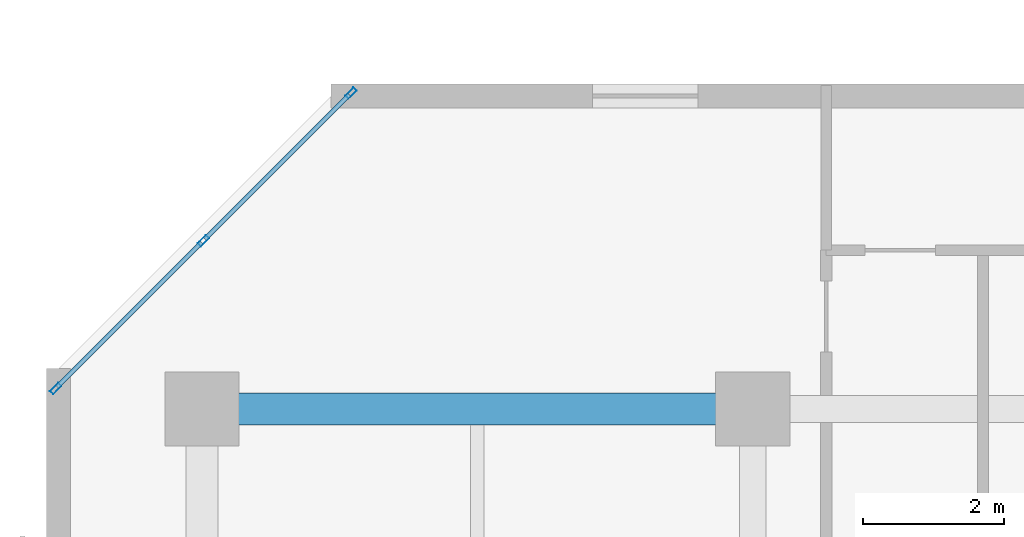
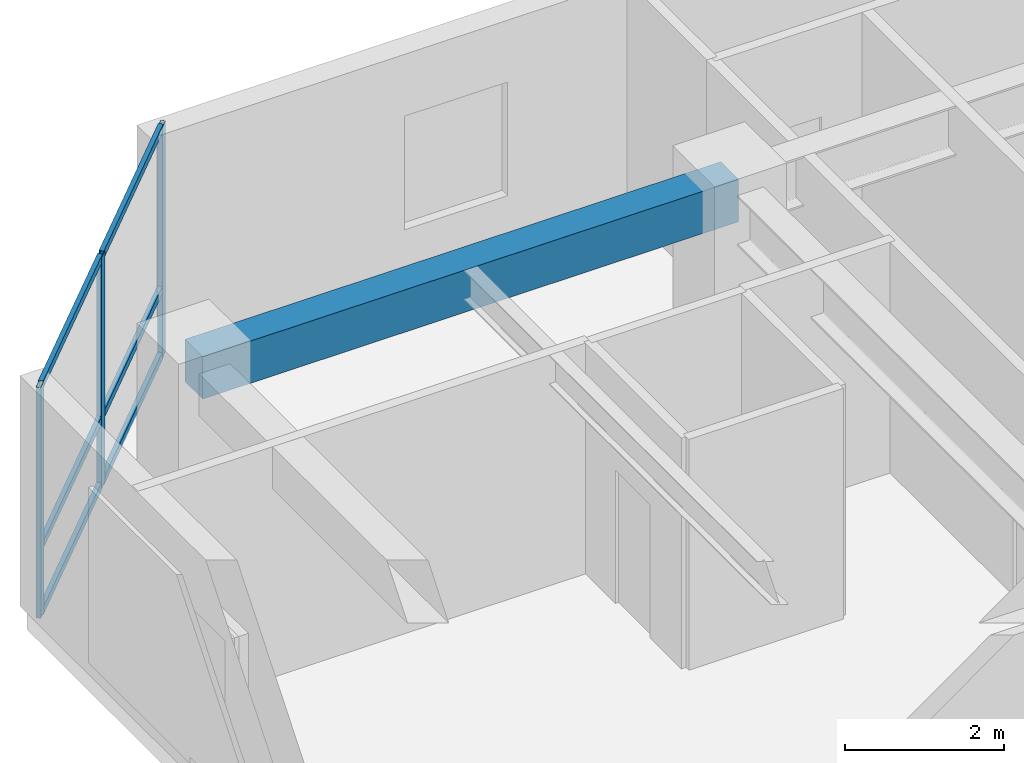
# One storey, part 2 of 10: 9 members, 1 beam, 1 element without a shape of its own.
"""IFC4 building model written with IfcOpenShell, lengths in metres."""

from ifc_helpers import new_model, si_unit, direction, frame, origin, origin_2d, place, context, subcontext, project, spatial, rectangle, hollow_rectangle, extrude, material, layer, layer_set, material_profile, profile_set, type_object, element, aggregate, save


model = new_model("IFC4")

# Units and contexts
model_context = context("Model", 3, precision=1e-05, world=origin(), true_north=direction((0.0, 1.0)))
body_context = subcontext(model_context, "Body", "Model", "MODEL_VIEW")
ifc_project = project(units=[si_unit("LENGTHUNIT", "METRE"), si_unit("AREAUNIT", "SQUARE_METRE"), si_unit("VOLUMEUNIT", "CUBIC_METRE"), si_unit("PLANEANGLEUNIT", "RADIAN"), si_unit("MASSUNIT", "GRAM", prefix="KILO")], contexts=[model_context])

# Site, building, storey
site_placement = place(None, origin())
site = spatial("IfcSite", under=ifc_project, at=site_placement, CompositionType="ELEMENT")
building_placement = place(site_placement, origin())
building = spatial("IfcBuilding", under=site, at=building_placement, Name="Kestravale Grand Hotel", CompositionType="ELEMENT")
storey_placement = place(building_placement, frame((0.0, 0.0, 149.800048828125)))
storey = spatial("IfcBuildingStorey", under=building, at=storey_placement, Name="L37", CompositionType="ELEMENT", Elevation=149.800048828125)

# Beam
ifc_material_1 = material(Name="Concrete f'c 45 MPa", Category="concrete")
ifc_material_profile_1 = material_profile(ifc_material_1, rectangle(XDim=0.449951171875, YDim=0.64990234375, at=origin_2d()))
ifc_profile_set_1 = profile_set([ifc_material_profile_1], Name="Concrete f'c 45 MPa")
beam_type = type_object("IfcBeamType", Name="B-FLR-RC650", PredefinedType="SPANDREL", material=ifc_profile_set_1)
beam_placement = place(storey_placement, frame((7.800048828125, 38.39990234375, 3.224853515625), z_axis=(1.0, 0.0, 0.0), x_axis=(0.0, 1.0, 0.0)))
element("IfcBeam", 1, at=beam_placement, inside=storey, type_object=beam_type, Name="L37 spandrel F:2-3", PredefinedType="SPANDREL", context=body_context, shape_type="SweptSolid", body=[
    extrude(rectangle(XDim=0.449951171875, YDim=0.64990234375, at=origin_2d()), origin(), (0.0, 0.0, 1.0), 7.800048828125),
])

# Curtain wall, members
ifc_material_2 = material(Name="Thermally broken champagne-bronze aluminium and low-E glazing", Category="aluminium")
ifc_layer = layer(ifc_material_2, 0.179931640625)
ifc_layer_set = layer_set([ifc_layer], Name="CW-Z3")
curtain_wall_type = type_object("IfcCurtainWallType", Name="CW-Z3", PredefinedType="NOTDEFINED", material=ifc_layer_set)
curtain_wall_placement = place(storey_placement, origin())
curtain_wall = element("IfcCurtainWall", 2, at=curtain_wall_placement, inside=storey, type_object=curtain_wall_type, Name="L37 unitised curtain wall 18", PredefinedType="NOTDEFINED")
ifc_material_3 = material(Name="Aluminium 6063-T6 anodised", Category="aluminium")
ifc_material_profile_2 = material_profile(ifc_material_3, hollow_rectangle(XDim=0.06494140625, YDim=0.1650390625, WallThickness=0.00341796875, at=origin_2d()))
ifc_profile_set_2 = profile_set([ifc_material_profile_2], Name="Aluminium 6063-T6 anodised")
member_type_1 = type_object("IfcMemberType", Name="CW-MUL-165", PredefinedType="MULLION", material=ifc_profile_set_2)
member_1_placement = place(storey_placement, frame((9.911376953125, 42.87109375, 0.0), z_axis=(0.0, 0.0, 1.0), x_axis=(0.707106781187, -0.707106781187, 0.0)))
member_1 = element("IfcMember", 3, at=member_1_placement, type_object=member_type_1, Name="CW-Z3 mullion 1", PredefinedType="MULLION", context=body_context, shape_type="SweptSolid", body=[
    extrude(hollow_rectangle(XDim=0.06494140625, YDim=0.1650390625, WallThickness=0.00341796875, at=origin_2d()), origin(), (0.0, 0.0, 1.0), 3.550048828125),
])
member_2_placement = place(storey_placement, frame((7.8203125, 40.77978515625, 0.0), z_axis=(0.0, 0.0, 1.0), x_axis=(0.707106781187, -0.707106781187, 0.0)))
member_2 = element("IfcMember", 4, at=member_2_placement, type_object=member_type_1, Name="CW-Z3 mullion 2", PredefinedType="MULLION", context=body_context, shape_type="SweptSolid", body=[
    extrude(hollow_rectangle(XDim=0.06494140625, YDim=0.1650390625, WallThickness=0.00341796875, at=origin_2d()), origin(), (0.0, 0.0, 1.0), 3.550048828125),
])
member_3_placement = place(storey_placement, frame((5.72900390625, 38.6884765625, 0.0), z_axis=(0.0, 0.0, 1.0), x_axis=(0.707106781187, -0.707106781187, 0.0)))
member_3 = element("IfcMember", 5, at=member_3_placement, type_object=member_type_1, Name="CW-Z3 mullion 3", PredefinedType="MULLION", context=body_context, shape_type="SweptSolid", body=[
    extrude(hollow_rectangle(XDim=0.06494140625, YDim=0.1650390625, WallThickness=0.00341796875, at=origin_2d()), origin(), (0.0, 0.0, 1.0), 3.550048828125),
])
ifc_material_4 = material(Name="Aluminium 6063-T6 anodised", Category="aluminium")
ifc_material_profile_3 = material_profile(ifc_material_4, hollow_rectangle(XDim=0.06494140625, YDim=0.114990234375, WallThickness=0.003173828125, at=origin_2d()))
ifc_profile_set_3 = profile_set([ifc_material_profile_3], Name="Aluminium 6063-T6 anodised")
member_type_2 = type_object("IfcMemberType", Name="CW-TRN-115", PredefinedType="USERDEFINED", material=ifc_profile_set_3)
member_4_placement = place(storey_placement, frame((9.888427734375, 42.84814453125, 0.032470703125), z_axis=(-0.707064577195, -0.707148982659, 0.0), x_axis=(0.707148982659, -0.707064577195, 0.0)))
member_4 = element("IfcMember", 6, at=member_4_placement, type_object=member_type_2, Name="CW-Z3 transom 1.1", ObjectType="TRANSOM", PredefinedType="USERDEFINED", context=body_context, shape_type="SweptSolid", body=[
    extrude(hollow_rectangle(XDim=0.06494140625, YDim=0.114990234375, WallThickness=0.003173828125, at=origin_2d()), origin(), (0.0, 0.0, 1.0), 2.892578125),
])
member_5_placement = place(storey_placement, frame((9.888427734375, 42.84814453125, 1.050048828125), z_axis=(-0.707064577195, -0.707148982659, 0.0), x_axis=(0.707148982659, -0.707064577195, 0.0)))
member_5 = element("IfcMember", 7, at=member_5_placement, type_object=member_type_2, Name="CW-Z3 transom 1.2", ObjectType="TRANSOM", PredefinedType="USERDEFINED", context=body_context, shape_type="SweptSolid", body=[
    extrude(hollow_rectangle(XDim=0.06494140625, YDim=0.114990234375, WallThickness=0.003173828125, at=origin_2d()), origin(), (0.0, 0.0, 1.0), 2.892578125),
])
member_6_placement = place(storey_placement, frame((9.888427734375, 42.84814453125, 3.517333984375), z_axis=(-0.707064577195, -0.707148982659, 0.0), x_axis=(0.707148982659, -0.707064577195, 0.0)))
member_6 = element("IfcMember", 8, at=member_6_placement, type_object=member_type_2, Name="CW-Z3 transom 1.3", ObjectType="TRANSOM", PredefinedType="USERDEFINED", context=body_context, shape_type="SweptSolid", body=[
    extrude(hollow_rectangle(XDim=0.06494140625, YDim=0.114990234375, WallThickness=0.003173828125, at=origin_2d()), origin(), (0.0, 0.0, 1.0), 2.892578125),
])
member_7_placement = place(storey_placement, frame((7.797119140625, 40.7568359375, 0.032470703125), z_axis=(-0.707106781187, -0.707106781187, 0.0), x_axis=(0.707106781187, -0.707106781187, 0.0)))
member_7 = element("IfcMember", 9, at=member_7_placement, type_object=member_type_2, Name="CW-Z3 transom 2.1", ObjectType="TRANSOM", PredefinedType="USERDEFINED", context=body_context, shape_type="SweptSolid", body=[
    extrude(hollow_rectangle(XDim=0.06494140625, YDim=0.114990234375, WallThickness=0.003173828125, at=origin_2d()), origin(), (0.0, 0.0, 1.0), 2.892333984375),
])
member_8_placement = place(storey_placement, frame((7.797119140625, 40.7568359375, 1.050048828125), z_axis=(-0.707106781187, -0.707106781187, 0.0), x_axis=(0.707106781187, -0.707106781187, 0.0)))
member_8 = element("IfcMember", 10, at=member_8_placement, type_object=member_type_2, Name="CW-Z3 transom 2.2", ObjectType="TRANSOM", PredefinedType="USERDEFINED", context=body_context, shape_type="SweptSolid", body=[
    extrude(hollow_rectangle(XDim=0.06494140625, YDim=0.114990234375, WallThickness=0.003173828125, at=origin_2d()), origin(), (0.0, 0.0, 1.0), 2.892333984375),
])
member_9_placement = place(storey_placement, frame((7.797119140625, 40.7568359375, 3.517333984375), z_axis=(-0.707106781187, -0.707106781187, 0.0), x_axis=(0.707106781187, -0.707106781187, 0.0)))
member_9 = element("IfcMember", 11, at=member_9_placement, type_object=member_type_2, Name="CW-Z3 transom 2.3", ObjectType="TRANSOM", PredefinedType="USERDEFINED", context=body_context, shape_type="SweptSolid", body=[
    extrude(hollow_rectangle(XDim=0.06494140625, YDim=0.114990234375, WallThickness=0.003173828125, at=origin_2d()), origin(), (0.0, 0.0, 1.0), 2.892333984375),
])
aggregate(curtain_wall, [member_1, member_2, member_3, member_4, member_5, member_6, member_7, member_8, member_9])

save(model, "model.ifc")
